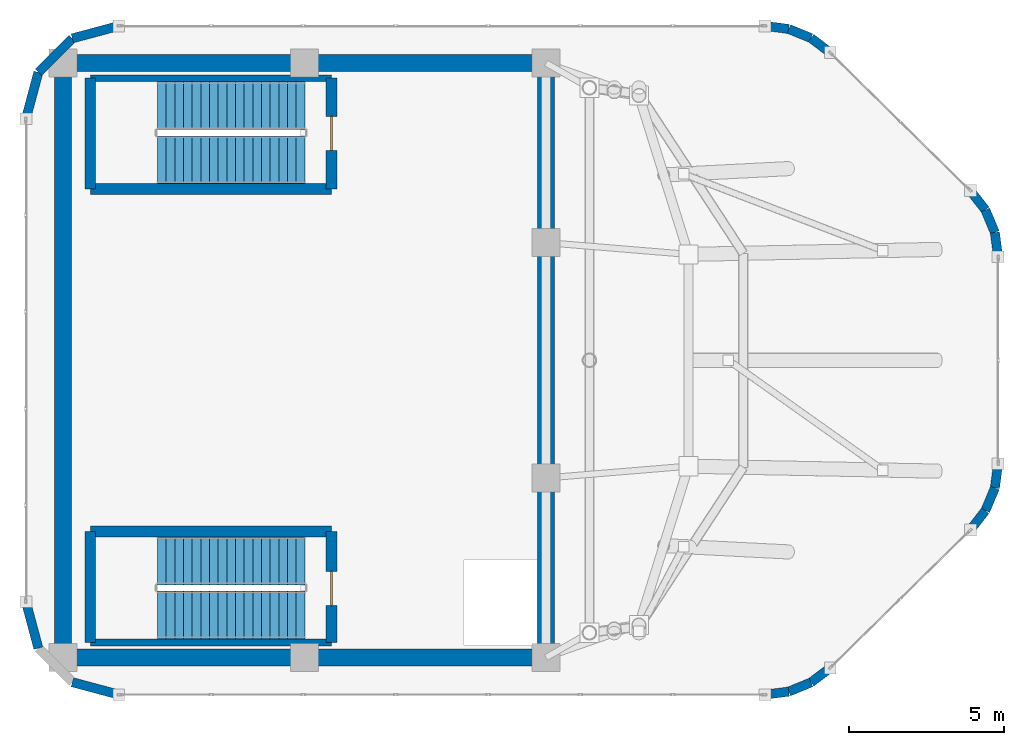
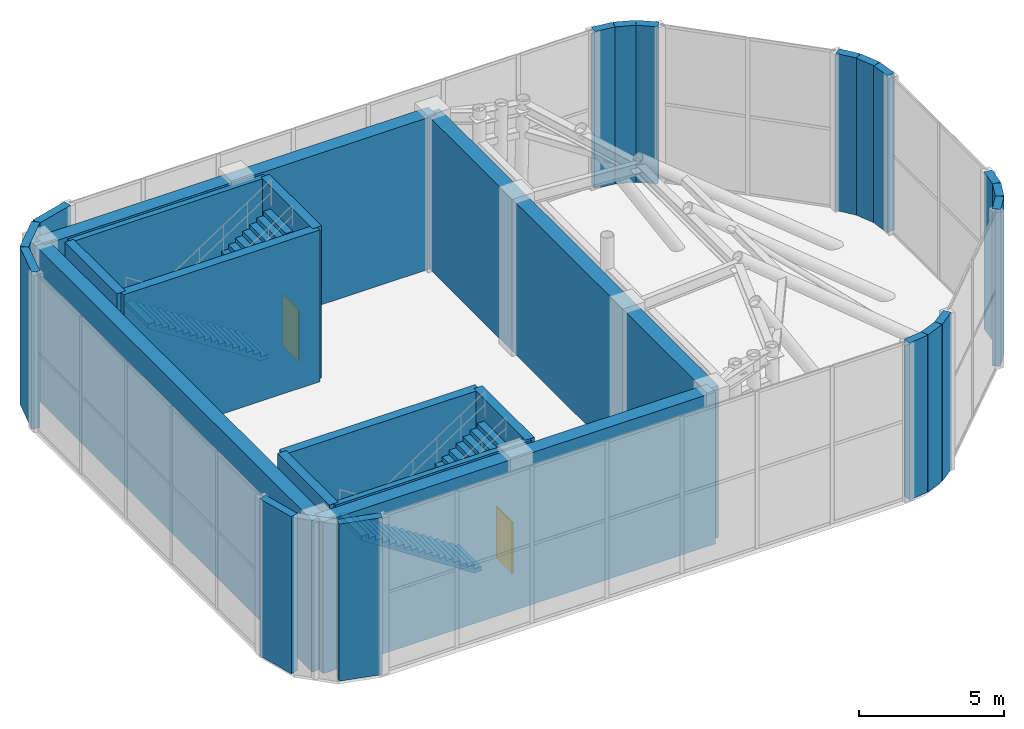
# One storey, part 18 of 19: 29 walls, 4 stair flights, 2 doors, 2 openings, 2 elements without a shape of their own.
"""IFC4 building model written with IfcOpenShell, lengths in metres."""

from ifc_helpers import new_model, si_unit, direction, frame, frame_2d, origin, place, context, subcontext, project, spatial, polyline, rectangle, outline, extrude, material, layer, layer_set, type_object, element, fill, aggregate, save


model = new_model("IFC4")

# Units and contexts
model_context = context("Model", 3, precision=1e-05, world=origin(), true_north=direction((0.0, 1.0)))
body_context = subcontext(model_context, "Body", "Model", "MODEL_VIEW")
ifc_project = project(units=[si_unit("LENGTHUNIT", "METRE"), si_unit("AREAUNIT", "SQUARE_METRE"), si_unit("VOLUMEUNIT", "CUBIC_METRE"), si_unit("PLANEANGLEUNIT", "RADIAN"), si_unit("MASSUNIT", "GRAM", prefix="KILO")], contexts=[model_context])

# Site, building, storey
site_placement = place(None, origin())
site = spatial("IfcSite", under=ifc_project, at=site_placement, CompositionType="ELEMENT")
building_placement = place(site_placement, origin())
building = spatial("IfcBuilding", under=site, at=building_placement, Name="An Khanh Terracotta Commons", CompositionType="ELEMENT")
storey_placement = place(building_placement, frame((0.0, 0.0, 328.800048828125)))
storey = spatial("IfcBuildingStorey", under=building, at=storey_placement, Name="L82 Crown Faceted Taper", CompositionType="ELEMENT", Elevation=328.800048828125)

# Walls
ifc_material_1 = material(Name="Concrete C50/60", Category="concrete")
ifc_layer_1 = layer(ifc_material_1, 0.550048828125, Name="Concrete C50/60")
ifc_layer_set_1 = layer_set([ifc_layer_1], Name="Concrete C50/60")
wall_type_1 = type_object("IfcWallType", Name="WALL-CORE-550", PredefinedType="SHEAR", material=ifc_layer_set_1)
wall_1_placement = place(storey_placement, frame((21.60009765625, 14.39990234375, 0.0), z_axis=(0.0, 0.0, 1.0), x_axis=(0.0, 1.0, 0.0)))
element("IfcWall", 1, at=wall_1_placement, inside=storey, type_object=wall_type_1, Name="L82 Crown Faceted Taper Core Wall CWALL-L82 Crown Faceted Taper-W", PredefinedType="SHEAR", context=body_context, shape_type="SweptSolid", body=[
    extrude(rectangle(XDim=19.2001953125, YDim=0.550048828125, at=frame_2d((9.60009765625, 0.0))), origin(), (0.0, 0.0, 1.0), 6.3798828125),
])
for number, where, z_axis, x_axis, name in (
    (2, (21.60009765625, 33.60009765625, 0.0), (0.0, 0.0, 1.0), (1.0, 0.0, 0.0), "L82 Crown Faceted Taper Core Wall CWALL-L82 Crown Faceted Taper-N"),
    (3, (37.199951171875, 14.39990234375, 0.0), (0.0, 0.0, 1.0), (-1.0, 0.0, 0.0), "L82 Crown Faceted Taper Core Wall CWALL-L82 Crown Faceted Taper-S"),
):
    element("IfcWall", number, at=place(storey_placement, frame(where, z_axis=z_axis, x_axis=x_axis)), inside=storey, type_object=wall_type_1, Name=name, PredefinedType="SHEAR", context=body_context, shape_type="SweptSolid", body=[
        extrude(rectangle(XDim=15.599853515625, YDim=0.550048828125, at=frame_2d((7.7998046875, 0.0))), origin(), (0.0, 0.0, 1.0), 6.3798828125),
    ])
wall_2_placement = place(storey_placement, frame((37.199951171875, 14.39990234375, 0.0), z_axis=(0.0, 0.0, 1.0), x_axis=(0.0, 1.0, 0.0)))
element("IfcWall", 4, at=wall_2_placement, inside=storey, type_object=wall_type_1, Name="L82 Crown Faceted Taper Core Wall CWALL-L82 Crown Faceted Taper-E", PredefinedType="SHEAR", context=body_context, shape_type="SweptSolid", body=[
    extrude(rectangle(XDim=19.2001953125, YDim=0.550048828125, at=frame_2d((9.60009765625, 0.0))), origin(), (0.0, 0.0, 1.0), 6.3798828125),
])
ifc_material_2 = material(Name="Precast concrete C40/50", Category="concrete")
ifc_layer_2 = layer(ifc_material_2, 0.300048828125, Name="Precast concrete C40/50")
ifc_layer_set_2 = layer_set([ifc_layer_2], Name="Precast concrete C40/50")
wall_type_2 = type_object("IfcWallType", Name="WALL-EXT-300", PredefinedType="SOLIDWALL", material=ifc_layer_set_2)
for number, where, z_axis, x_axis, name in (
    (5, (20.39990234375, 16.199951171875, 0.0), (0.0, 0.0, 1.0), (0.258924676022, -0.965897516379, 0.0), "L82 Crown Faceted Taper Crown Facet Corner Closure 1"),
    (6, (21.89990234375, 13.60205078125, 0.0), (0.0, 0.0, 1.0), (0.965897516379, -0.258924676022, 0.0), "L82 Crown Faceted Taper Crown Facet Corner Closure 3"),
):
    element("IfcWall", number, at=place(storey_placement, frame(where, z_axis=z_axis, x_axis=x_axis)), inside=storey, type_object=wall_type_2, Name=name, PredefinedType="SOLIDWALL", context=body_context, shape_type="SweptSolid", body=[
        extrude(rectangle(XDim=1.552978515625, YDim=0.300048828125, at=frame_2d((0.7763671875, 0.0))), origin(), (0.0, 0.0, 1.0), 6.599853515625),
    ])
wall_3_placement = place(storey_placement, frame((44.27099609375, 13.199951171875, 0.0), z_axis=(0.0, 0.0, 1.0), x_axis=(0.99163548301, 0.129070015249, 0.0)))
element("IfcWall", 7, at=wall_3_placement, inside=storey, type_object=wall_type_2, Name="L82 Crown Faceted Taper Crown Facet Corner Closure 5", PredefinedType="SOLIDWALL", context=body_context, shape_type="SweptSolid", body=[
    extrude(rectangle(XDim=0.775634765625, YDim=0.300048828125, at=frame_2d((0.3876953125, 0.0))), origin(), (0.0, 0.0, 1.0), 6.599853515625),
])
wall_4_placement = place(storey_placement, frame((45.0400390625, 13.300048828125, 0.0), z_axis=(0.0, 0.0, 1.0), x_axis=(0.925451689777, 0.378865635665, 0.0)))
element("IfcWall", 8, at=wall_4_placement, inside=storey, type_object=wall_type_2, Name="L82 Crown Faceted Taper Crown Facet Corner Closure 6", PredefinedType="SOLIDWALL", context=body_context, shape_type="SweptSolid", body=[
    extrude(rectangle(XDim=0.77587890625, YDim=0.300048828125, at=frame_2d((0.387939453125, 0.0))), origin(), (0.0, 0.0, 1.0), 6.599853515625),
])
wall_5_placement = place(storey_placement, frame((45.758056640625, 13.593994140625, 0.0), z_axis=(0.0, 0.0, 1.0), x_axis=(0.797156458096, 0.603772789479, 0.0)))
element("IfcWall", 9, at=wall_5_placement, inside=storey, type_object=wall_type_2, Name="L82 Crown Faceted Taper Crown Facet Corner Closure 7", PredefinedType="SOLIDWALL", context=body_context, shape_type="SweptSolid", body=[
    extrude(rectangle(XDim=0.775146484375, YDim=0.300048828125, at=frame_2d((0.3876953125, 0.0))), origin(), (0.0, 0.0, 1.0), 6.599853515625),
])
wall_6_placement = place(storey_placement, frame((50.904052734375, 18.51904296875, 0.0), z_axis=(0.0, 0.0, 1.0), x_axis=(0.614325235959, 0.789052916137, 0.0)))
element("IfcWall", 10, at=wall_6_placement, inside=storey, type_object=wall_type_2, Name="L82 Crown Faceted Taper Crown Facet Corner Closure 9", PredefinedType="SOLIDWALL", context=body_context, shape_type="SweptSolid", body=[
    extrude(rectangle(XDim=0.790771484375, YDim=0.300048828125, at=frame_2d((0.3955078125, 0.0))), origin(), (0.0, 0.0, 1.0), 6.599853515625),
])
wall_7_placement = place(storey_placement, frame((51.389892578125, 19.14306640625, 0.0), z_axis=(0.0, 0.0, 1.0), x_axis=(0.38676052047, 0.922180188361, 0.0)))
element("IfcWall", 11, at=wall_7_placement, inside=storey, type_object=wall_type_2, Name="L82 Crown Faceted Taper Crown Facet Corner Closure 10", PredefinedType="SOLIDWALL", context=body_context, shape_type="SweptSolid", body=[
    extrude(rectangle(XDim=0.79150390625, YDim=0.300048828125, at=frame_2d((0.395751953125, 0.0))), origin(), (0.0, 0.0, 1.0), 6.599853515625),
])
for number, where, z_axis, x_axis, name in (
    (12, (51.696044921875, 19.873046875, 0.0), (0.0, 0.0, 1.0), (0.131516584066, 0.991313970504, 0.0), "L82 Crown Faceted Taper Crown Facet Corner Closure 11"),
    (13, (51.800048828125, 27.343017578125, 0.0), (0.0, 0.0, 1.0), (-0.131516584066, 0.991313970504, 0.0), "L82 Crown Faceted Taper Crown Facet Corner Closure 13"),
):
    element("IfcWall", number, at=place(storey_placement, frame(where, z_axis=z_axis, x_axis=x_axis)), inside=storey, type_object=wall_type_2, Name=name, PredefinedType="SOLIDWALL", context=body_context, shape_type="SweptSolid", body=[
        extrude(rectangle(XDim=0.790771484375, YDim=0.300048828125, at=frame_2d((0.3955078125, 0.0))), origin(), (0.0, 0.0, 1.0), 6.599853515625),
    ])
wall_8_placement = place(storey_placement, frame((51.696044921875, 28.126953125, 0.0), z_axis=(0.0, 0.0, 1.0), x_axis=(-0.38676052047, 0.922180188361, 0.0)))
element("IfcWall", 14, at=wall_8_placement, inside=storey, type_object=wall_type_2, Name="L82 Crown Faceted Taper Crown Facet Corner Closure 14", PredefinedType="SOLIDWALL", context=body_context, shape_type="SweptSolid", body=[
    extrude(rectangle(XDim=0.79150390625, YDim=0.300048828125, at=frame_2d((0.395751953125, 0.0))), origin(), (0.0, 0.0, 1.0), 6.599853515625),
])
wall_9_placement = place(storey_placement, frame((51.389892578125, 28.85693359375, 0.0), z_axis=(0.0, 0.0, 1.0), x_axis=(-0.614325235959, 0.789052916137, 0.0)))
element("IfcWall", 15, at=wall_9_placement, inside=storey, type_object=wall_type_2, Name="L82 Crown Faceted Taper Crown Facet Corner Closure 15", PredefinedType="SOLIDWALL", context=body_context, shape_type="SweptSolid", body=[
    extrude(rectangle(XDim=0.790771484375, YDim=0.300048828125, at=frame_2d((0.3955078125, 0.0))), origin(), (0.0, 0.0, 1.0), 6.599853515625),
])
wall_10_placement = place(storey_placement, frame((46.3759765625, 33.93798828125, 0.0), z_axis=(0.0, 0.0, 1.0), x_axis=(-0.797156458096, 0.603772789479, 0.0)))
element("IfcWall", 16, at=wall_10_placement, inside=storey, type_object=wall_type_2, Name="L82 Crown Faceted Taper Crown Facet Corner Closure 17", PredefinedType="SOLIDWALL", context=body_context, shape_type="SweptSolid", body=[
    extrude(rectangle(XDim=0.775146484375, YDim=0.300048828125, at=frame_2d((0.3876953125, 0.0))), origin(), (0.0, 0.0, 1.0), 6.599853515625),
])
wall_11_placement = place(storey_placement, frame((45.758056640625, 34.406005859375, 0.0), z_axis=(0.0, 0.0, 1.0), x_axis=(-0.925451689777, 0.378865635665, 0.0)))
element("IfcWall", 17, at=wall_11_placement, inside=storey, type_object=wall_type_2, Name="L82 Crown Faceted Taper Crown Facet Corner Closure 18", PredefinedType="SOLIDWALL", context=body_context, shape_type="SweptSolid", body=[
    extrude(rectangle(XDim=0.77587890625, YDim=0.300048828125, at=frame_2d((0.387939453125, 0.0))), origin(), (0.0, 0.0, 1.0), 6.599853515625),
])
wall_12_placement = place(storey_placement, frame((45.0400390625, 34.699951171875, 0.0), z_axis=(0.0, 0.0, 1.0), x_axis=(-0.99163548301, 0.129070015249, 0.0)))
element("IfcWall", 18, at=wall_12_placement, inside=storey, type_object=wall_type_2, Name="L82 Crown Faceted Taper Crown Facet Corner Closure 19", PredefinedType="SOLIDWALL", context=body_context, shape_type="SweptSolid", body=[
    extrude(rectangle(XDim=0.775634765625, YDim=0.300048828125, at=frame_2d((0.3876953125, 0.0))), origin(), (0.0, 0.0, 1.0), 6.599853515625),
])
wall_13_placement = place(storey_placement, frame((23.39990234375, 34.800048828125, 0.0), z_axis=(0.0, 0.0, 1.0), x_axis=(-0.965897516379, -0.258924676022, 0.0)))
element("IfcWall", 19, at=wall_13_placement, inside=storey, type_object=wall_type_2, Name="L82 Crown Faceted Taper Crown Facet Corner Closure 21", PredefinedType="SOLIDWALL", context=body_context, shape_type="SweptSolid", body=[
    extrude(rectangle(XDim=1.552978515625, YDim=0.300048828125, at=frame_2d((0.7763671875, 0.0))), origin(), (0.0, 0.0, 1.0), 6.599853515625),
])
wall_14_placement = place(storey_placement, frame((21.89990234375, 34.39794921875, 0.0), z_axis=(0.0, 0.0, 1.0), x_axis=(-0.707106781187, -0.707106781187, 0.0)))
element("IfcWall", 20, at=wall_14_placement, inside=storey, type_object=wall_type_2, Name="L82 Crown Faceted Taper Crown Facet Corner Closure 22", PredefinedType="SOLIDWALL", context=body_context, shape_type="SweptSolid", body=[
    extrude(rectangle(XDim=1.552734375, YDim=0.300048828125, at=frame_2d((0.7763671875, 0.0))), origin(), (0.0, 0.0, 1.0), 6.599853515625),
])
wall_15_placement = place(storey_placement, frame((20.802001953125, 33.300048828125, 0.0), z_axis=(0.0, 0.0, 1.0), x_axis=(-0.258924676022, -0.965897516379, 0.0)))
element("IfcWall", 21, at=wall_15_placement, inside=storey, type_object=wall_type_2, Name="L82 Crown Faceted Taper Crown Facet Corner Closure 23", PredefinedType="SOLIDWALL", context=body_context, shape_type="SweptSolid", body=[
    extrude(rectangle(XDim=1.552978515625, YDim=0.300048828125, at=frame_2d((0.7763671875, 0.0))), origin(), (0.0, 0.0, 1.0), 6.599853515625),
])
ifc_material_3 = material(Name="Acoustic Double-Stud Gypsum and Mineral Wool")
ifc_layer_3 = layer(ifc_material_3, 0.219970703125, Name="Acoustic Double-Stud Gypsum and Mineral Wool")
ifc_layer_set_3 = layer_set([ifc_layer_3], Name="Acoustic Double-Stud Gypsum and Mineral Wool")
wall_type_3 = type_object("IfcWallType", Name="WALL-PARTY-220", PredefinedType="PARTITIONING", material=ifc_layer_set_3)
for number, where, z_axis, x_axis, name in (
    (22, (22.47998046875, 33.110107421875, 0.0), (0.0, 0.0, 1.0), (1.0, 0.0, 0.0), "L82 Crown Faceted Taper Core Wall STW-L82 Crown Faceted Taper-N-N"),
    (23, (22.47998046875, 14.889892578125, 0.0), (0.0, 0.0, 1.0), (1.0, 0.0, 0.0), "L82 Crown Faceted Taper Core Wall STW-L82 Crown Faceted Taper-S-S"),
):
    element("IfcWall", number, at=place(storey_placement, frame(where, z_axis=z_axis, x_axis=x_axis)), inside=storey, type_object=wall_type_3, Name=name, PredefinedType="PARTITIONING", context=body_context, shape_type="SweptSolid", body=[
        extrude(rectangle(XDim=7.7900390625, YDim=0.219970703125, at=frame_2d((3.89501953125, 0.0))), origin(), (0.0, 0.0, 1.0), 6.3798828125),
    ])
ifc_layer_4 = layer(ifc_material_1, 0.35009765625, Name="Concrete C50/60")
ifc_layer_set_4 = layer_set([ifc_layer_4], Name="Concrete C50/60")
wall_type_4 = type_object("IfcWallType", Name="WALL-SHAFT-350", PredefinedType="SOLIDWALL", material=ifc_layer_set_4)
wall_16_placement = place(storey_placement, frame((22.47998046875, 29.530029296875, 0.0), z_axis=(0.0, 0.0, 1.0), x_axis=(1.0, 0.0, 0.0)))
element("IfcWall", 24, at=wall_16_placement, inside=storey, type_object=wall_type_4, Name="L82 Crown Faceted Taper Core Wall STW-L82 Crown Faceted Taper-N-S", PredefinedType="SOLIDWALL", context=body_context, shape_type="SweptSolid", body=[
    extrude(rectangle(XDim=7.7900390625, YDim=0.35009765625, at=frame_2d((3.89501953125, 0.0))), origin(), (0.0, 0.0, 1.0), 6.3798828125),
])
wall_17_placement = place(storey_placement, frame((22.47998046875, 29.530029296875, 0.0), z_axis=(0.0, 0.0, 1.0), x_axis=(0.0, 1.0, 0.0)))
element("IfcWall", 25, at=wall_17_placement, inside=storey, type_object=wall_type_4, Name="L82 Crown Faceted Taper Core Wall STW-L82 Crown Faceted Taper-N-W", PredefinedType="SOLIDWALL", context=body_context, shape_type="SweptSolid", body=[
    extrude(rectangle(XDim=3.580078125, YDim=0.35009765625, at=frame_2d((1.7900390625, 0.0))), origin(), (0.0, 0.0, 1.0), 6.3798828125),
])

# Wall, opening, door
wall_18_placement = place(storey_placement, frame((30.27001953125, 29.530029296875, 0.0), z_axis=(0.0, 0.0, 1.0), x_axis=(0.0, 1.0, 0.0)))
wall_18 = element("IfcWall", 26, at=wall_18_placement, inside=storey, type_object=wall_type_4, Name="L82 Crown Faceted Taper Core Wall STW-L82 Crown Faceted Taper-N-E", PredefinedType="SOLIDWALL", context=body_context, shape_type="SweptSolid", body=[
    extrude(rectangle(XDim=3.580078125, YDim=0.35009765625, at=frame_2d((1.7900390625, 0.0))), origin(), (0.0, 0.0, 1.0), 6.3798828125),
])
opening_1_placement = place(wall_18_placement, frame((1.25, 0.0, 0.0)))
opening_1 = element("IfcOpeningElement", 27, at=opening_1_placement, cuts=wall_18, Name="Opening D-ST", PredefinedType="OPENING", context=body_context, shape_type="SweptSolid", body=[
    extrude(rectangle(XDim=1.10009765625, YDim=2.14990234375, at=frame_2d((0.550048828125, 1.074951171875))), frame((0.0, 0.18505859375, 0.0), z_axis=(0.0, -1.0, 0.0), x_axis=(1.0, 0.0, 0.0)), (0.0, 0.0, 1.0), 0.3701171875),
])
ifc_material_4 = material(Name="Fire-Rated Steel Leaf and Frame", Category="steel")
door_type = type_object("IfcDoorType", Name="DOOR-STAIR-1100", OperationType="NOTDEFINED", PredefinedType="DOOR", material=ifc_material_4)
door_1_placement = place(opening_1_placement, origin())
door_1 = element("IfcDoor", 28, at=door_1_placement, inside=storey, type_object=door_type, Name="L82 Crown Faceted Taper Stair ST-01 Fire Door", OperationType="SINGLE_SWING_RIGHT", OverallHeight=2.14990234375, OverallWidth=1.10009765625, PredefinedType="DOOR", context=body_context, shape_type="SweptSolid", body=[
    extrude(rectangle(XDim=1.10009765625, YDim=2.14990234375, at=frame_2d((0.550048828125, 1.074951171875))), frame((0.0, 0.02490234375, 0.0), z_axis=(0.0, -1.0, 0.0), x_axis=(1.0, 0.0, 0.0)), (0.0, 0.0, 1.0), 0.050048828125),
])
fill(opening_1, door_1)

# Walls
wall_19_placement = place(storey_placement, frame((22.47998046875, 18.469970703125, 0.0), z_axis=(0.0, 0.0, 1.0), x_axis=(1.0, 0.0, 0.0)))
element("IfcWall", 29, at=wall_19_placement, inside=storey, type_object=wall_type_4, Name="L82 Crown Faceted Taper Core Wall STW-L82 Crown Faceted Taper-S-N", PredefinedType="SOLIDWALL", context=body_context, shape_type="SweptSolid", body=[
    extrude(rectangle(XDim=7.7900390625, YDim=0.35009765625, at=frame_2d((3.89501953125, 0.0))), origin(), (0.0, 0.0, 1.0), 6.3798828125),
])
wall_20_placement = place(storey_placement, frame((22.47998046875, 14.889892578125, 0.0), z_axis=(0.0, 0.0, 1.0), x_axis=(0.0, 1.0, 0.0)))
element("IfcWall", 30, at=wall_20_placement, inside=storey, type_object=wall_type_4, Name="L82 Crown Faceted Taper Core Wall STW-L82 Crown Faceted Taper-S-W", PredefinedType="SOLIDWALL", context=body_context, shape_type="SweptSolid", body=[
    extrude(rectangle(XDim=3.580078125, YDim=0.35009765625, at=frame_2d((1.7900390625, 0.0))), origin(), (0.0, 0.0, 1.0), 6.3798828125),
])

# Wall, opening, door
wall_21_placement = place(storey_placement, frame((30.27001953125, 14.889892578125, 0.0), z_axis=(0.0, 0.0, 1.0), x_axis=(0.0, 1.0, 0.0)))
wall_21 = element("IfcWall", 31, at=wall_21_placement, inside=storey, type_object=wall_type_4, Name="L82 Crown Faceted Taper Core Wall STW-L82 Crown Faceted Taper-S-E", PredefinedType="SOLIDWALL", context=body_context, shape_type="SweptSolid", body=[
    extrude(rectangle(XDim=3.580078125, YDim=0.35009765625, at=frame_2d((1.7900390625, 0.0))), origin(), (0.0, 0.0, 1.0), 6.3798828125),
])
opening_2_placement = place(wall_21_placement, frame((1.18994140625, 0.0, 0.0)))
opening_2 = element("IfcOpeningElement", 32, at=opening_2_placement, cuts=wall_21, Name="Opening D-ST", PredefinedType="OPENING", context=body_context, shape_type="SweptSolid", body=[
    extrude(rectangle(XDim=1.10009765625, YDim=2.14990234375, at=frame_2d((0.550048828125, 1.074951171875))), frame((0.0, 0.18505859375, 0.0), z_axis=(0.0, -1.0, 0.0), x_axis=(1.0, 0.0, 0.0)), (0.0, 0.0, 1.0), 0.3701171875),
])
door_2_placement = place(opening_2_placement, origin())
door_2 = element("IfcDoor", 33, at=door_2_placement, inside=storey, type_object=door_type, Name="L82 Crown Faceted Taper Stair ST-02 Fire Door", OperationType="SINGLE_SWING_LEFT", OverallHeight=2.14990234375, OverallWidth=1.10009765625, PredefinedType="DOOR", context=body_context, shape_type="SweptSolid", body=[
    extrude(rectangle(XDim=1.10009765625, YDim=2.14990234375, at=frame_2d((0.550048828125, 1.074951171875))), frame((0.0, 0.02490234375, 0.0), z_axis=(0.0, -1.0, 0.0), x_axis=(1.0, 0.0, 0.0)), (0.0, 0.0, 1.0), 0.050048828125),
])
fill(opening_2, door_2)

# Stair, stair flights
stair_type = type_object("IfcStairType", Name="STAIR-CORE-1550", PredefinedType="HALF_TURN_STAIR", material=ifc_material_2)
stair_1_placement = place(storey_placement, origin())
stair_1 = element("IfcStair", 34, at=stair_1_placement, inside=storey, type_object=stair_type, Name="L82 Crown Faceted Taper Core Smokeproof Exit Stair ST-01", PredefinedType="HALF_TURN_STAIR")
stair_flight_type = type_object("IfcStairFlightType", Name="FLIGHT-CORE-1550", PredefinedType="STRAIGHT", material=ifc_material_2)
stair_flight_1_placement = place(storey_placement, frame((29.409912109375, 32.22509765625, 0.0), z_axis=(0.0, 0.0, 1.0), x_axis=(-1.0, 0.0, 0.0)))
stair_flight_1 = element("IfcStairFlight", 35, at=stair_flight_1_placement, type_object=stair_flight_type, Name="ST-01 flight 1", NumberOfRisers=18, NumberOfTreads=17, PredefinedType="STRAIGHT", RiserHeight=0.183333333, TreadLength=0.28, context=body_context, shape_type="SweptSolid", body=[
    extrude(outline(polyline([(0.0, 0.0), (0.0, 0.183349609375), (0.280029296875, 0.183349609375), (0.280029296875, 0.36669921875), (0.56005859375, 0.36669921875), (0.56005859375, 0.550048828125), (0.840087890625, 0.550048828125), (0.840087890625, 0.7333984375), (1.1201171875, 0.7333984375), (1.1201171875, 0.916748046875), (1.39990234375, 0.916748046875), (1.39990234375, 1.10009765625), (1.679931640625, 1.10009765625), (1.679931640625, 1.283447265625), (1.9599609375, 1.283447265625), (1.9599609375, 1.466552734375), (2.239990234375, 1.466552734375), (2.239990234375, 1.64990234375), (2.52001953125, 1.64990234375), (2.52001953125, 1.833251953125), (2.800048828125, 1.833251953125), (2.800048828125, 2.0166015625), (3.080078125, 2.0166015625), (3.080078125, 2.199951171875), (3.360107421875, 2.199951171875), (3.360107421875, 2.38330078125), (3.639892578125, 2.38330078125), (3.639892578125, 2.566650390625), (3.919921875, 2.566650390625), (3.919921875, 2.75), (4.199951171875, 2.75), (4.199951171875, 2.933349609375), (4.47998046875, 2.933349609375), (4.47998046875, 3.11669921875), (4.760009765625, 3.11669921875), (4.760009765625, 3.300048828125), (4.760009765625, 2.9375), (0.273681640625, 0.0), (0.0, 0.0)])), frame((0.0, 0.77490234375, 0.0), z_axis=(0.0, -1.0, 0.0), x_axis=(1.0, 0.0, 0.0)), (0.0, 0.0, 1.0), 1.550048828125),
])
stair_flight_2_placement = place(storey_placement, frame((24.64990234375, 30.47509765625, 3.300048828125), z_axis=(0.0, 0.0, 1.0), x_axis=(1.0, 0.0, 0.0)))
stair_flight_2 = element("IfcStairFlight", 36, at=stair_flight_2_placement, type_object=stair_flight_type, Name="ST-01 flight 2", NumberOfRisers=18, NumberOfTreads=17, PredefinedType="STRAIGHT", RiserHeight=0.183333333, TreadLength=0.28, context=body_context, shape_type="SweptSolid", body=[
    extrude(outline(polyline([(0.0, 0.0), (0.0, 0.183349609375), (0.280029296875, 0.183349609375), (0.280029296875, 0.36669921875), (0.56005859375, 0.36669921875), (0.56005859375, 0.550048828125), (0.840087890625, 0.550048828125), (0.840087890625, 0.7333984375), (1.1201171875, 0.7333984375), (1.1201171875, 0.916748046875), (1.39990234375, 0.916748046875), (1.39990234375, 1.10009765625), (1.679931640625, 1.10009765625), (1.679931640625, 1.283447265625), (1.9599609375, 1.283447265625), (1.9599609375, 1.466552734375), (2.239990234375, 1.466552734375), (2.239990234375, 1.64990234375), (2.52001953125, 1.64990234375), (2.52001953125, 1.833251953125), (2.800048828125, 1.833251953125), (2.800048828125, 2.0166015625), (3.080078125, 2.0166015625), (3.080078125, 2.199951171875), (3.360107421875, 2.199951171875), (3.360107421875, 2.38330078125), (3.639892578125, 2.38330078125), (3.639892578125, 2.566650390625), (3.919921875, 2.566650390625), (3.919921875, 2.75), (4.199951171875, 2.75), (4.199951171875, 2.933349609375), (4.47998046875, 2.933349609375), (4.47998046875, 3.11669921875), (4.760009765625, 3.11669921875), (4.760009765625, 3.300048828125), (4.760009765625, 2.9375), (0.273681640625, 0.0), (0.0, 0.0)])), frame((0.0, 0.77490234375, 0.0), z_axis=(0.0, -1.0, 0.0), x_axis=(1.0, 0.0, 0.0)), (0.0, 0.0, 1.0), 1.550048828125),
])
aggregate(stair_1, [stair_flight_1, stair_flight_2])

stair_2_placement = place(storey_placement, origin())
stair_2 = element("IfcStair", 37, at=stair_2_placement, inside=storey, type_object=stair_type, Name="L82 Crown Faceted Taper Core Smokeproof Exit Stair ST-02", PredefinedType="HALF_TURN_STAIR")
stair_flight_3_placement = place(storey_placement, frame((29.409912109375, 17.52490234375, 0.0), z_axis=(0.0, 0.0, 1.0), x_axis=(-1.0, 0.0, 0.0)))
stair_flight_3 = element("IfcStairFlight", 38, at=stair_flight_3_placement, type_object=stair_flight_type, Name="ST-02 flight 1", NumberOfRisers=18, NumberOfTreads=17, PredefinedType="STRAIGHT", RiserHeight=0.183333333, TreadLength=0.28, context=body_context, shape_type="SweptSolid", body=[
    extrude(outline(polyline([(0.0, 0.0), (0.0, 0.183349609375), (0.280029296875, 0.183349609375), (0.280029296875, 0.36669921875), (0.56005859375, 0.36669921875), (0.56005859375, 0.550048828125), (0.840087890625, 0.550048828125), (0.840087890625, 0.7333984375), (1.1201171875, 0.7333984375), (1.1201171875, 0.916748046875), (1.39990234375, 0.916748046875), (1.39990234375, 1.10009765625), (1.679931640625, 1.10009765625), (1.679931640625, 1.283447265625), (1.9599609375, 1.283447265625), (1.9599609375, 1.466552734375), (2.239990234375, 1.466552734375), (2.239990234375, 1.64990234375), (2.52001953125, 1.64990234375), (2.52001953125, 1.833251953125), (2.800048828125, 1.833251953125), (2.800048828125, 2.0166015625), (3.080078125, 2.0166015625), (3.080078125, 2.199951171875), (3.360107421875, 2.199951171875), (3.360107421875, 2.38330078125), (3.639892578125, 2.38330078125), (3.639892578125, 2.566650390625), (3.919921875, 2.566650390625), (3.919921875, 2.75), (4.199951171875, 2.75), (4.199951171875, 2.933349609375), (4.47998046875, 2.933349609375), (4.47998046875, 3.11669921875), (4.760009765625, 3.11669921875), (4.760009765625, 3.300048828125), (4.760009765625, 2.9375), (0.273681640625, 0.0), (0.0, 0.0)])), frame((0.0, 0.77490234375, 0.0), z_axis=(0.0, -1.0, 0.0), x_axis=(1.0, 0.0, 0.0)), (0.0, 0.0, 1.0), 1.550048828125),
])
stair_flight_4_placement = place(storey_placement, frame((24.64990234375, 15.77490234375, 3.300048828125), z_axis=(0.0, 0.0, 1.0), x_axis=(1.0, 0.0, 0.0)))
stair_flight_4 = element("IfcStairFlight", 39, at=stair_flight_4_placement, type_object=stair_flight_type, Name="ST-02 flight 2", NumberOfRisers=18, NumberOfTreads=17, PredefinedType="STRAIGHT", RiserHeight=0.183333333, TreadLength=0.28, context=body_context, shape_type="SweptSolid", body=[
    extrude(outline(polyline([(0.0, 0.0), (0.0, 0.183349609375), (0.280029296875, 0.183349609375), (0.280029296875, 0.36669921875), (0.56005859375, 0.36669921875), (0.56005859375, 0.550048828125), (0.840087890625, 0.550048828125), (0.840087890625, 0.7333984375), (1.1201171875, 0.7333984375), (1.1201171875, 0.916748046875), (1.39990234375, 0.916748046875), (1.39990234375, 1.10009765625), (1.679931640625, 1.10009765625), (1.679931640625, 1.283447265625), (1.9599609375, 1.283447265625), (1.9599609375, 1.466552734375), (2.239990234375, 1.466552734375), (2.239990234375, 1.64990234375), (2.52001953125, 1.64990234375), (2.52001953125, 1.833251953125), (2.800048828125, 1.833251953125), (2.800048828125, 2.0166015625), (3.080078125, 2.0166015625), (3.080078125, 2.199951171875), (3.360107421875, 2.199951171875), (3.360107421875, 2.38330078125), (3.639892578125, 2.38330078125), (3.639892578125, 2.566650390625), (3.919921875, 2.566650390625), (3.919921875, 2.75), (4.199951171875, 2.75), (4.199951171875, 2.933349609375), (4.47998046875, 2.933349609375), (4.47998046875, 3.11669921875), (4.760009765625, 3.11669921875), (4.760009765625, 3.300048828125), (4.760009765625, 2.9375), (0.273681640625, 0.0), (0.0, 0.0)])), frame((0.0, 0.77490234375, 0.0), z_axis=(0.0, -1.0, 0.0), x_axis=(1.0, 0.0, 0.0)), (0.0, 0.0, 1.0), 1.550048828125),
])
aggregate(stair_2, [stair_flight_3, stair_flight_4])

save(model, "model.ifc")
